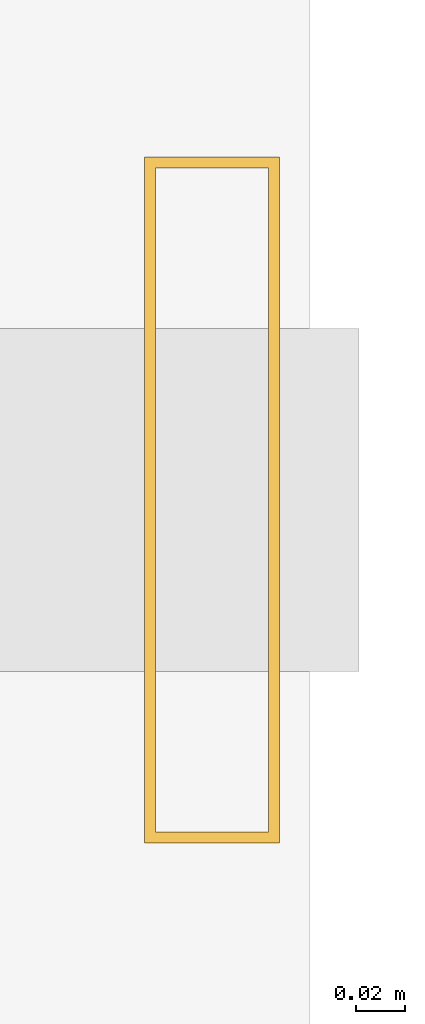
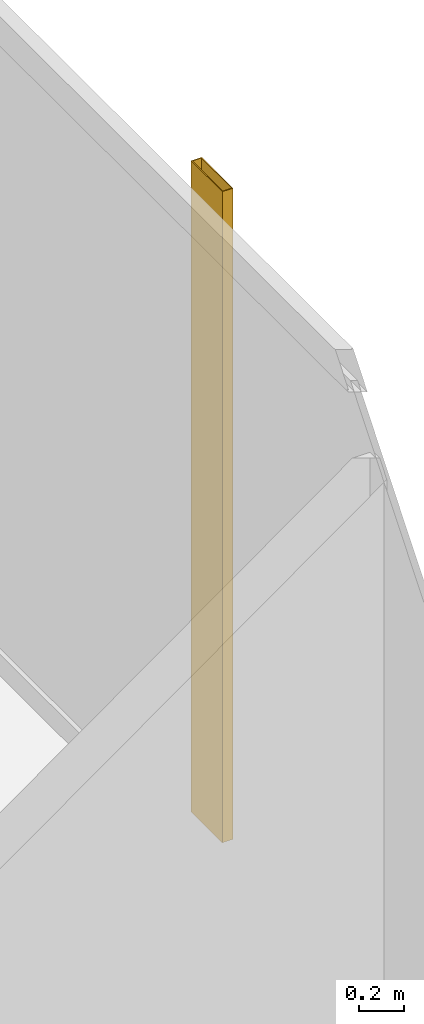
# One storey, part 25 of 25: 1 shading device.
"""IFC4 building model written with IfcOpenShell, lengths in metres."""

from ifc_helpers import new_model, si_unit, direction, frame, origin, origin_2d, place, context, subcontext, project, spatial, hollow_rectangle, extrude, material, material_profile, profile_set, type_object, element, save


model = new_model("IFC4")

# Units and contexts
model_context = context("Model", 3, precision=1e-05, world=origin(), true_north=direction((0.0, 1.0)))
body_context = subcontext(model_context, "Body", "Model", "MODEL_VIEW")
ifc_project = project(units=[si_unit("LENGTHUNIT", "METRE"), si_unit("AREAUNIT", "SQUARE_METRE"), si_unit("VOLUMEUNIT", "CUBIC_METRE"), si_unit("PLANEANGLEUNIT", "RADIAN"), si_unit("MASSUNIT", "GRAM", prefix="KILO")], contexts=[model_context])

# Site, building, storey
site_placement = place(None, origin())
site = spatial("IfcSite", under=ifc_project, at=site_placement, CompositionType="ELEMENT")
building_placement = place(site_placement, origin())
building = spatial("IfcBuilding", under=site, at=building_placement, Name="Kolvaren Waterfront Exchange", CompositionType="ELEMENT")
storey_placement = place(building_placement, frame((0.0, 0.0, 204.5)))
storey = spatial("IfcBuildingStorey", under=building, at=storey_placement, Name="L52", CompositionType="ELEMENT", Elevation=204.5)

# Shading device
ifc_material = material(Name="Anodised bronze aluminium 6063-T6", Category="aluminium")
ifc_material_profile = material_profile(ifc_material, hollow_rectangle(XDim=0.054931640625, YDim=0.280029296875, WallThickness=0.00439453125, at=origin_2d()), Name="BRZ-FIN-280x55x4.5")
ifc_profile_set = profile_set([ifc_material_profile], Name="Anodised bronze aluminium 6063-T6")
shading_device_type = type_object("IfcShadingDeviceType", Name="ARC-FIN-280", PredefinedType="USERDEFINED", material=ifc_profile_set)
shading_device_placement = place(storey_placement, frame((21.360107421875, 37.60009765625, 0.0), z_axis=(0.0, 0.0, 1.0), x_axis=(1.0, 0.0, 0.0)))
element("IfcShadingDevice", 1, at=shading_device_placement, inside=storey, type_object=shading_device_type, Name="L52 anodised bronze solar shading fin FIN-L52-E3", ObjectType="SOLAR FIN", PredefinedType="USERDEFINED", context=body_context, shape_type="SweptSolid", body=[
    extrude(hollow_rectangle(XDim=0.054931640625, YDim=0.280029296875, WallThickness=0.00439453125, at=origin_2d()), origin(), (0.0, 0.0, 1.0), 3.56005859375),
])

save(model, "model.ifc")
